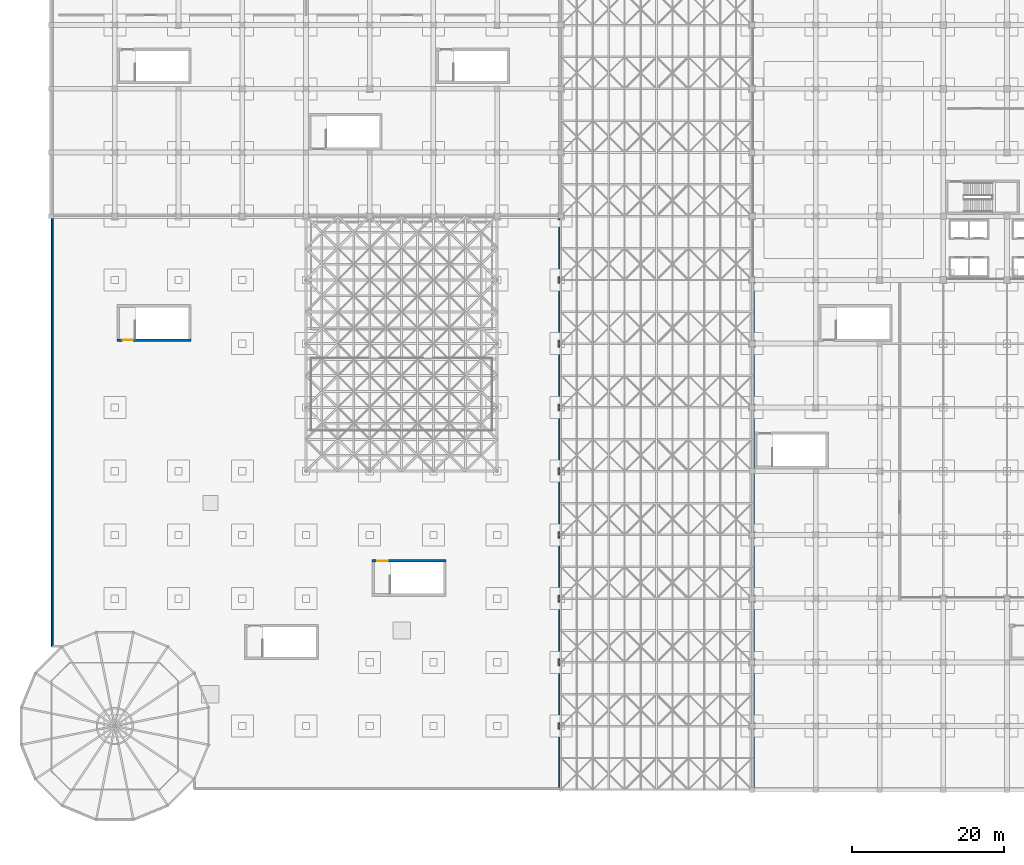
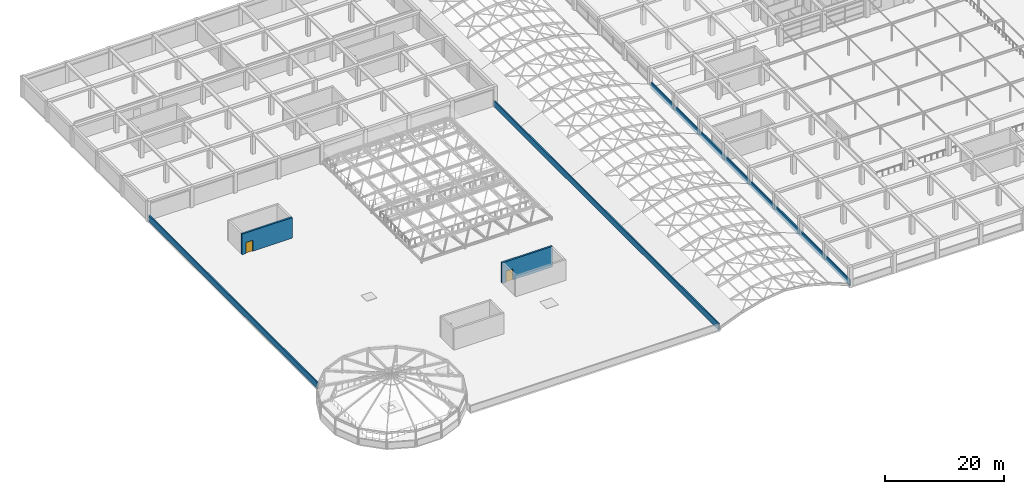
# One storey, part 74 of 85: 5 walls, 2 doors, 2 openings.
"""IFC4 building model written with IfcOpenShell, lengths in metres."""

from ifc_helpers import new_model, si_unit, direction, frame, frame_2d, origin, place, context, subcontext, project, spatial, rectangle, extrude, material, layer, layer_set, type_object, element, fill, save


model = new_model("IFC4")

# Units and contexts
model_context = context("Model", 3, precision=1e-05, world=origin(), true_north=direction((0.0, 1.0)))
body_context = subcontext(model_context, "Body", "Model", "MODEL_VIEW")
ifc_project = project(units=[si_unit("LENGTHUNIT", "METRE"), si_unit("AREAUNIT", "SQUARE_METRE"), si_unit("VOLUMEUNIT", "CUBIC_METRE"), si_unit("PLANEANGLEUNIT", "RADIAN"), si_unit("MASSUNIT", "GRAM", prefix="KILO")], contexts=[model_context])

# Site, building, storey
site_placement = place(None, origin())
site = spatial("IfcSite", under=ifc_project, at=site_placement, CompositionType="ELEMENT")
building_placement = place(site_placement, origin())
building = spatial("IfcBuilding", under=site, at=building_placement, Name="Almacenes y Pasaje Nevantli", CompositionType="ELEMENT")
storey_placement = place(building_placement, frame((0.0, 0.0, 22.199951171875)))
storey = spatial("IfcBuildingStorey", under=building, at=storey_placement, Name="L05", CompositionType="ELEMENT", Elevation=22.199951171875)

# Wall, opening, door
ifc_material_1 = material(Name="Concrete C45/55", Category="concrete")
ifc_layer_1 = layer(ifc_material_1, 0.35009765625)
ifc_layer_set_1 = layer_set([ifc_layer_1], Name="Concrete C45/55")
wall_type_1 = type_object("IfcWallType", Name="WL-CORE-350", PredefinedType="SHEAR", material=ifc_layer_set_1)
wall_1_placement = place(storey_placement, frame((8.699951171875, 59.27490234375, 0.0), z_axis=(0.0, 0.0, 1.0), x_axis=(1.0, 0.0, 0.0)))
wall_1 = element("IfcWall", 1, at=wall_1_placement, inside=storey, type_object=wall_type_1, Name="L05 Exit Stair ST-12 South Core Shear Wall", PredefinedType="SHEAR", context=body_context, shape_type="SweptSolid", body=[
    extrude(rectangle(XDim=9.75, YDim=0.35009765625, at=frame_2d((4.875, 0.0))), origin(), (0.0, 0.0, 1.0), 4.219970703125),
])
opening_1_placement = place(wall_1_placement, frame((0.719970703125, 0.0, 0.0)))
opening_1 = element("IfcOpeningElement", 2, at=opening_1_placement, cuts=wall_1, Name="Opening SD-12-L05", PredefinedType="OPENING", context=body_context, shape_type="SweptSolid", body=[
    extrude(rectangle(XDim=1.35009765625, YDim=2.25, at=frame_2d((0.675048828125, 1.125))), frame((0.0, 0.18505859375, 0.0), z_axis=(0.0, -1.0, 0.0), x_axis=(1.0, 0.0, 0.0)), (0.0, 0.0, 1.0), 0.3701171875),
])
ifc_material_2 = material(Name="Galvanized Fire-Rated Steel", Category="steel")
door_type = type_object("IfcDoorType", Name="DR-STAIR-1350R", OperationType="SINGLE_SWING_RIGHT", PredefinedType="DOOR", material=ifc_material_2)
door_1_placement = place(opening_1_placement, origin())
door_1 = element("IfcDoor", 3, at=door_1_placement, inside=storey, type_object=door_type, Name="L05 Smokeproof Exit Stair ST-12 Fire Door", OperationType="SINGLE_SWING_RIGHT", OverallHeight=2.25, OverallWidth=1.35009765625, PredefinedType="DOOR", context=body_context, shape_type="SweptSolid", body=[
    extrude(rectangle(XDim=1.35009765625, YDim=2.25, at=frame_2d((0.675048828125, 1.125))), frame((0.0, 0.02490234375, 0.0), z_axis=(0.0, -1.0, 0.0), x_axis=(1.0, 0.0, 0.0)), (0.0, 0.0, 1.0), 0.050048828125),
])
fill(opening_1, door_1)

wall_2_placement = place(storey_placement, frame((42.300048828125, 30.175048828125, 0.0), z_axis=(0.0, 0.0, 1.0), x_axis=(1.0, 0.0, 0.0)))
wall_2 = element("IfcWall", 4, at=wall_2_placement, inside=storey, type_object=wall_type_1, Name="L05 Exit Stair ST-14 North Core Shear Wall", PredefinedType="SHEAR", context=body_context, shape_type="SweptSolid", body=[
    extrude(rectangle(XDim=9.75, YDim=0.35009765625, at=frame_2d((4.875, 0.0))), origin(), (0.0, 0.0, 1.0), 4.219970703125),
])
opening_2_placement = place(wall_2_placement, frame((0.719970703125, 0.0, 0.0)))
opening_2 = element("IfcOpeningElement", 5, at=opening_2_placement, cuts=wall_2, Name="Opening SD-14-L05", PredefinedType="OPENING", context=body_context, shape_type="SweptSolid", body=[
    extrude(rectangle(XDim=1.35009765625, YDim=2.25, at=frame_2d((0.675048828125, 1.125))), frame((0.0, 0.18505859375, 0.0), z_axis=(0.0, -1.0, 0.0), x_axis=(1.0, 0.0, 0.0)), (0.0, 0.0, 1.0), 0.3701171875),
])
door_2_placement = place(opening_2_placement, origin())
door_2 = element("IfcDoor", 6, at=door_2_placement, inside=storey, type_object=door_type, Name="L05 Smokeproof Exit Stair ST-14 Fire Door", OperationType="SINGLE_SWING_RIGHT", OverallHeight=2.25, OverallWidth=1.35009765625, PredefinedType="DOOR", context=body_context, shape_type="SweptSolid", body=[
    extrude(rectangle(XDim=1.35009765625, YDim=2.25, at=frame_2d((0.675048828125, 1.125))), frame((0.0, 0.02490234375, 0.0), z_axis=(0.0, -1.0, 0.0), x_axis=(1.0, 0.0, 0.0)), (0.0, 0.0, 1.0), 0.050048828125),
])
fill(opening_2, door_2)

# Walls
ifc_material_3 = material(Name="Reinforced Concrete C35/45 Roof Parapet", Category="concrete")
ifc_layer_2 = layer(ifc_material_3, 0.239990234375)
ifc_layer_set_2 = layer_set([ifc_layer_2], Name="Reinforced Concrete C35/45 Roof Parapet")
wall_type_2 = type_object("IfcWallType", Name="WL-PARAPET-240", PredefinedType="PARAPET", material=ifc_layer_set_2)
wall_3_placement = place(storey_placement, frame((0.14990234375, 18.8798828125, 0.0), z_axis=(0.0, 0.0, 1.0), x_axis=(0.0, 1.0, 0.0)))
element("IfcWall", 7, at=wall_3_placement, inside=storey, type_object=wall_type_2, Name="L05 West Deck West Parapet", PredefinedType="PARAPET", context=body_context, shape_type="SweptSolid", body=[
    extrude(rectangle(XDim=56.670166015625, YDim=0.239990234375, at=frame_2d((28.3349609375, 0.0))), origin(), (0.0, 0.0, 1.0), 1.25),
])
wall_4_placement = place(storey_placement, frame((67.050048828125, 0.14990234375, 0.0), z_axis=(0.0, 0.0, 1.0), x_axis=(0.0, 1.0, 0.0)))
element("IfcWall", 8, at=wall_4_placement, inside=storey, type_object=wall_type_2, Name="L05 West Deck Arcade-Edge Parapet", PredefinedType="PARAPET", context=body_context, shape_type="SweptSolid", body=[
    extrude(rectangle(XDim=75.400146484375, YDim=0.239990234375, at=frame_2d((37.7001953125, 0.0))), origin(), (0.0, 0.0, 1.0), 1.25),
])
wall_5_placement = place(storey_placement, frame((92.550048828125, 0.14990234375, 0.0), z_axis=(0.0, 0.0, 1.0), x_axis=(0.0, 1.0, 0.0)))
element("IfcWall", 9, at=wall_5_placement, inside=storey, type_object=wall_type_2, Name="L05 SE Deck Arcade-Edge Parapet", PredefinedType="PARAPET", context=body_context, shape_type="SweptSolid", body=[
    extrude(rectangle(XDim=66.900146484375, YDim=0.239990234375, at=frame_2d((33.4501953125, 0.0))), origin(), (0.0, 0.0, 1.0), 1.25),
])

save(model, "model.ifc")
